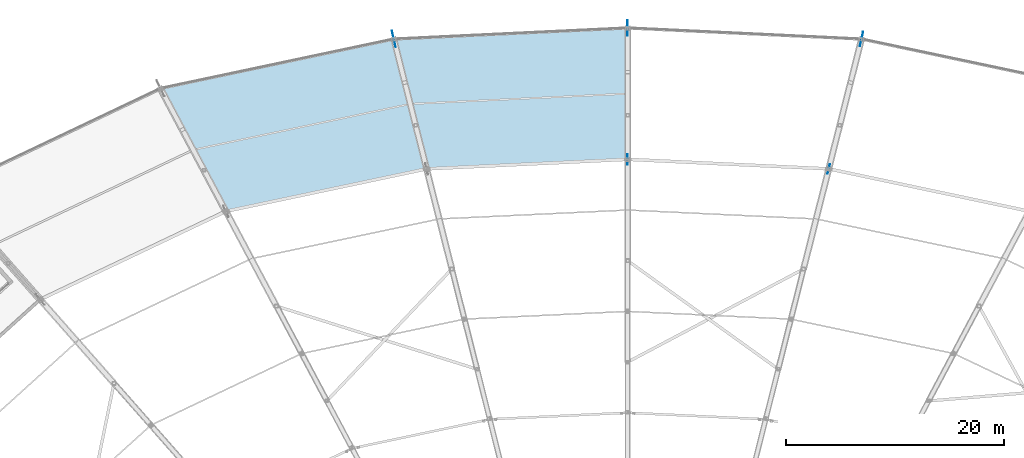
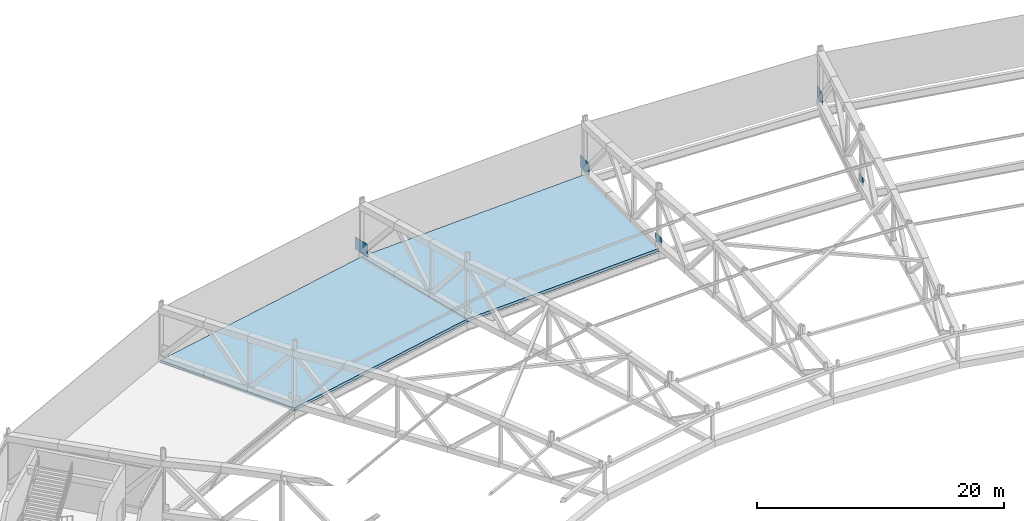
# One storey, part 146 of 162: 5 plates, 2 slabs.
"""IFC4 building model written with IfcOpenShell, lengths in metres."""

from ifc_helpers import new_model, si_unit, direction, frame, origin, origin_2d, place, context, subcontext, project, spatial, polyline, rectangle, outline, extrude, material, layer, layer_set, type_object, element, save


model = new_model("IFC4")

# Units and contexts
model_context = context("Model", 3, precision=1e-05, world=origin(), true_north=direction((0.0, 1.0)))
body_context = subcontext(model_context, "Body", "Model", "MODEL_VIEW")
ifc_project = project(units=[si_unit("LENGTHUNIT", "METRE"), si_unit("AREAUNIT", "SQUARE_METRE"), si_unit("VOLUMEUNIT", "CUBIC_METRE"), si_unit("PLANEANGLEUNIT", "RADIAN"), si_unit("MASSUNIT", "GRAM", prefix="KILO")], contexts=[model_context])

# Site, building, storey
site_placement = place(None, origin())
site = spatial("IfcSite", under=ifc_project, at=site_placement, CompositionType="ELEMENT")
building_placement = place(site_placement, origin())
building = spatial("IfcBuilding", under=site, at=building_placement, Name="Kazemori Nagisa Stadium", CompositionType="ELEMENT")
storey_placement = place(building_placement, frame((0.0, 0.0, 36.719970703125)))
storey = spatial("IfcBuildingStorey", under=building, at=storey_placement, Name="RF", CompositionType="ELEMENT", Elevation=36.719970703125)

# Plates
ifc_material_1 = material(Name="Steel SN490B", Category="steel")
ifc_layer_1 = layer(ifc_material_1, 0.035888671875, Name="Steel SN490B", Category="steel")
ifc_layer_set_1 = layer_set([ifc_layer_1], Name="Steel SN490B")
plate_type_1 = type_object("IfcPlateType", Name="GussetPlate_GP-01", PredefinedType="SHEET", material=ifc_layer_set_1)
plate_1_placement = place(storey_placement, frame((141.427734375, 175.088623046875, 0.47998046875), z_axis=(0.0, 0.0, 1.0), x_axis=(0.222520933954, 0.974927912182, 0.0)))
element("IfcPlate", 1, at=plate_1_placement, inside=storey, type_object=plate_type_1, Name="Roof truss anchor gusset plate GP-01 RT-07-R2", PredefinedType="SHEET", context=body_context, shape_type="SweptSolid", body=[
    extrude(rectangle(XDim=0.89990234375, YDim=0.035888671875, at=origin_2d()), origin(), (0.0, 0.0, 1.0), 0.75),
])
ifc_layer_2 = layer(ifc_material_1, 0.0400390625, Name="Steel SN490B", Category="steel")
ifc_layer_set_2 = layer_set([ifc_layer_2], Name="Steel SN490B")
plate_type_2 = type_object("IfcPlateType", Name="GussetPlate_GP-02", PredefinedType="SHEET", material=ifc_layer_set_2)
plate_2_placement = place(storey_placement, frame((123.0, 175.9599609375, 0.47998046875), z_axis=(0.0, 0.0, 1.0), x_axis=(0.0, 1.0, 0.0)))
element("IfcPlate", 2, at=plate_2_placement, inside=storey, type_object=plate_type_2, Name="Roof truss anchor gusset plate GP-02 RT-08-R2", PredefinedType="SHEET", context=body_context, shape_type="SweptSolid", body=[
    extrude(rectangle(XDim=0.97998046875, YDim=0.0400390625, at=origin_2d()), origin(), (0.0, 0.0, 1.0), 0.81005859375),
])
ifc_layer_3 = layer(ifc_material_1, 0.0439453125, Name="Steel SN490B", Category="steel")
ifc_layer_set_3 = layer_set([ifc_layer_3], Name="Steel SN490B")
plate_type_3 = type_object("IfcPlateType", Name="GussetPlate_GP-07", PredefinedType="SHEET", material=ifc_layer_set_3)
plate_3_placement = place(storey_placement, frame((144.427734375, 186.98681640625, 0.35986328125), z_axis=(0.0, 0.0, 1.0), x_axis=(0.222520933954, 0.974927912182, 0.0)))
element("IfcPlate", 3, at=plate_3_placement, inside=storey, type_object=plate_type_3, Name="Roof truss anchor gusset plate GP-07 RT-07-R3", PredefinedType="SHEET", context=body_context, shape_type="SweptSolid", body=[
    extrude(rectangle(XDim=1.3798828125, YDim=0.0439453125, at=origin_2d()), origin(), (0.0, 0.0, 1.0), 1.110107421875),
])
ifc_layer_4 = layer(ifc_material_1, 0.048095703125, Name="Steel SN490B", Category="steel")
ifc_layer_set_4 = layer_set([ifc_layer_4], Name="Steel SN490B")
plate_type_4 = type_object("IfcPlateType", Name="GussetPlate_GP-08", PredefinedType="SHEET", material=ifc_layer_set_4)
plate_4_placement = place(storey_placement, frame((123.0, 188.0, 0.360107421875), z_axis=(0.0, 0.0, 1.0), x_axis=(0.0, 1.0, 0.0)))
element("IfcPlate", 4, at=plate_4_placement, inside=storey, type_object=plate_type_4, Name="Roof truss anchor gusset plate GP-08 RT-08-R3", PredefinedType="SHEET", context=body_context, shape_type="SweptSolid", body=[
    extrude(rectangle(XDim=1.4599609375, YDim=0.048095703125, at=origin_2d()), origin(), (0.0, 0.0, 1.0), 1.169921875),
])
ifc_layer_5 = layer(ifc_material_1, 0.035888671875, Name="Steel SN490B", Category="steel")
ifc_layer_set_5 = layer_set([ifc_layer_5], Name="Steel SN490B")
plate_type_5 = type_object("IfcPlateType", Name="GussetPlate_GP-09", PredefinedType="SHEET", material=ifc_layer_set_5)
plate_5_placement = place(storey_placement, frame((101.572265625, 186.98681640625, 0.360107421875), z_axis=(0.0, 0.0, 1.0), x_axis=(-0.222520933954, 0.974927912182, 0.0)))
element("IfcPlate", 5, at=plate_5_placement, inside=storey, type_object=plate_type_5, Name="Roof truss anchor gusset plate GP-09 RT-09-R3", PredefinedType="SHEET", context=body_context, shape_type="SweptSolid", body=[
    extrude(rectangle(XDim=1.5400390625, YDim=0.035888671875, at=origin_2d()), origin(), (0.0, 0.0, 1.0), 1.22998046875),
])

# Slabs
ifc_material_2 = material(Name="Concrete C36/45 (Fc36)", Category="concrete")
ifc_layer_6 = layer(ifc_material_2, 0.280029296875, Name="Concrete C36/45 (Fc36)", Category="concrete")
ifc_layer_set_6 = layer_set([ifc_layer_6], Name="Concrete C36/45 (Fc36)")
slab_type = type_object("IfcSlabType", Name="Slab_SL-RF-GOND-280", PredefinedType="ROOF", material=ifc_layer_set_6)
slab_1_placement = place(storey_placement, frame((0.0, 0.0, -0.280029296875)))
element("IfcSlab", 6, at=slab_1_placement, inside=storey, type_object=slab_type, Name="Media gondola and high-core roof closure slab RF B08", PredefinedType="ROOF", context=body_context, shape_type="SweptSolid", body=[
    extrude(outline(polyline([(123.0, 175.9599609375), (104.572265625, 175.088623046875), (101.572265625, 186.98681640625), (123.0, 188.0), (123.0, 175.9599609375)])), origin(), (0.0, 0.0, 1.0), 0.280029296875),
])
slab_2_placement = place(storey_placement, frame((0.0, 0.0, -0.280029296875)))
element("IfcSlab", 7, at=slab_2_placement, inside=storey, type_object=slab_type, Name="Media gondola and high-core roof closure slab RF B09", PredefinedType="ROOF", context=body_context, shape_type="SweptSolid", body=[
    extrude(outline(polyline([(104.572265625, 175.088623046875), (86.18798828125, 171.19921875), (80.1953125, 182.46435546875), (101.572265625, 186.98681640625), (104.572265625, 175.088623046875)])), origin(), (0.0, 0.0, 1.0), 0.280029296875),
])

save(model, "model.ifc")
